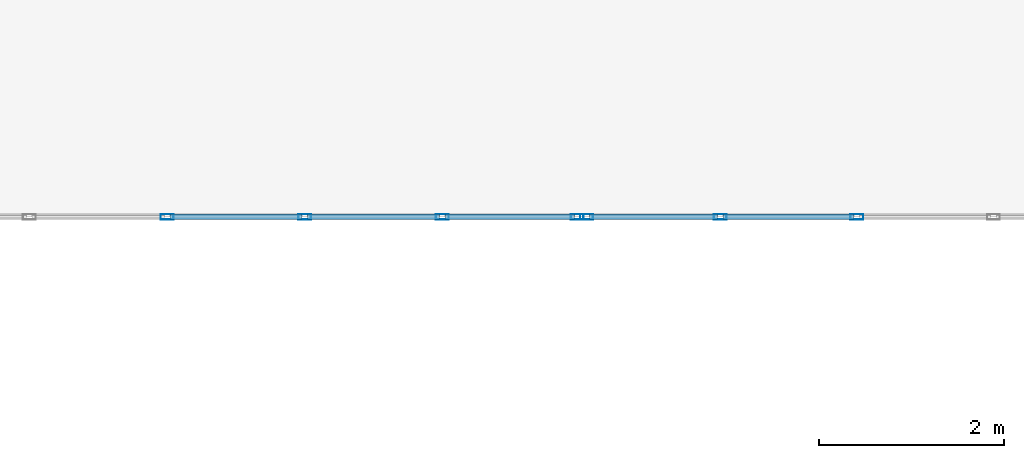
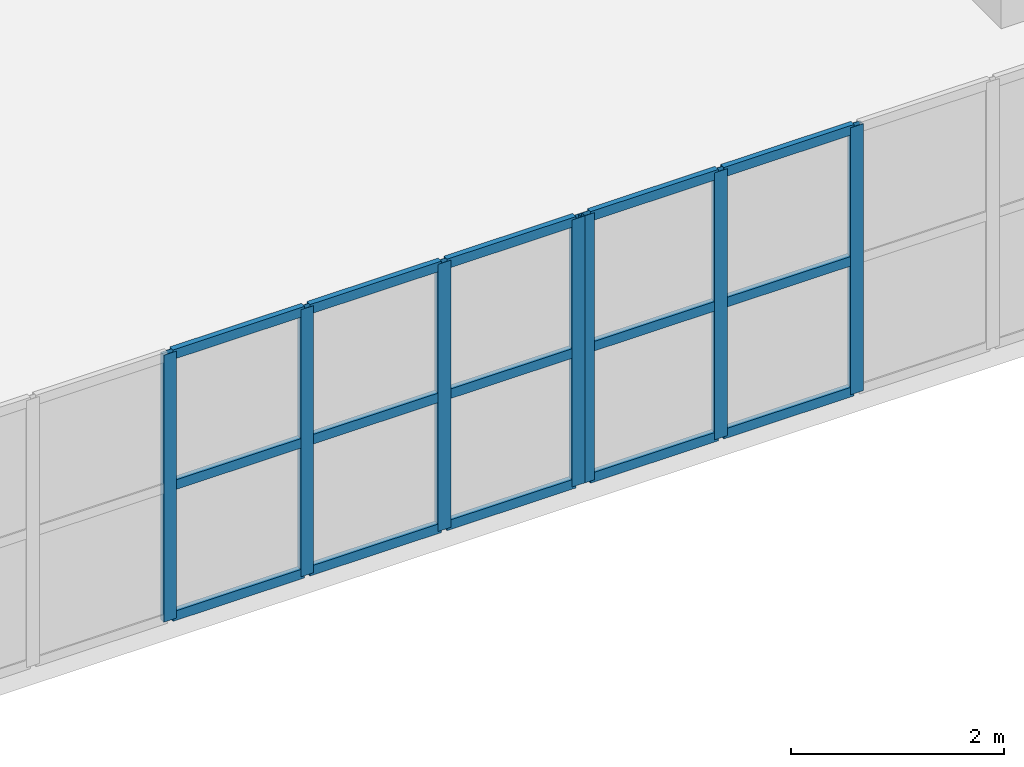
# One storey, part 32 of 148: 22 members, 2 elements without a shape of their own.
"""IFC4 building model written with IfcOpenShell, lengths in metres."""

from ifc_helpers import new_model, si_unit, direction, frame, origin, origin_2d, place, context, subcontext, project, spatial, hollow_rectangle, extrude, material, layer, layer_set, material_profile, profile_set, type_object, element, aggregate, save


model = new_model("IFC4")

# Units and contexts
model_context = context("Model", 3, precision=1e-05, world=origin(), true_north=direction((0.0, 1.0)))
body_context = subcontext(model_context, "Body", "Model", "MODEL_VIEW")
ifc_project = project(units=[si_unit("LENGTHUNIT", "METRE"), si_unit("AREAUNIT", "SQUARE_METRE"), si_unit("VOLUMEUNIT", "CUBIC_METRE"), si_unit("PLANEANGLEUNIT", "RADIAN"), si_unit("MASSUNIT", "GRAM", prefix="KILO")], contexts=[model_context])

# Site, building, storey
site_placement = place(None, origin())
site = spatial("IfcSite", under=ifc_project, at=site_placement, CompositionType="ELEMENT")
building_placement = place(site_placement, origin())
building = spatial("IfcBuilding", under=site, at=building_placement, Name="Trelvath General Hospital", CompositionType="ELEMENT")
storey_placement = place(building_placement, frame((0.0, 0.0, 12.89990234375)))
storey = spatial("IfcBuildingStorey", under=building, at=storey_placement, Name="L03", CompositionType="ELEMENT", Elevation=12.89990234375)

# Curtain wall, members
ifc_material_1 = material(Name="Anodised aluminium and low-E glass", Category="aluminium")
ifc_layer_1 = layer(ifc_material_1, 0.14990234375)
ifc_layer_set_1 = layer_set([ifc_layer_1], Name="Anodised aluminium and low-E glass")
curtain_wall_type_1 = type_object("IfcCurtainWallType", Name="CW CrystalCube 743 306 15", PredefinedType="USERDEFINED", material=ifc_layer_set_1)
curtain_wall_1_placement = place(storey_placement, origin())
curtain_wall_1 = element("IfcCurtainWall", 1, at=curtain_wall_1_placement, inside=storey, type_object=curtain_wall_type_1, Name="Crystal Cube Curtain Wall CUBE-W-T1 S2 L03", ObjectType="Unitised Glazed Curtain Wall", PredefinedType="USERDEFINED")
ifc_material_2 = material(Name="Anodised aluminium", Category="aluminium")
ifc_material_profile_1 = material_profile(ifc_material_2, hollow_rectangle(XDim=0.06005859375, YDim=0.139892578125, WallThickness=0.00390625, at=origin_2d()), Name="RHS60x140x4")
ifc_profile_set_1 = profile_set([ifc_material_profile_1], Name="Anodised aluminium")
member_type_1 = type_object("IfcMemberType", Name="CurtainMullion 60x140", PredefinedType="MULLION", material=ifc_profile_set_1)
member_1_placement = place(storey_placement, frame((68.083251953125, 37.199951171875, 0.0), z_axis=(0.0, 0.0, 1.0), x_axis=(0.0, -1.0, 0.0)))
member_1 = element("IfcMember", 2, at=member_1_placement, type_object=member_type_1, Name="CW-231 mullion 1", PredefinedType="MULLION", context=body_context, shape_type="SweptSolid", body=[
    extrude(hollow_rectangle(XDim=0.06005859375, YDim=0.139892578125, WallThickness=0.00390625, at=origin_2d()), origin(), (0.0, 0.0, 1.0), 3.06005859375),
])
member_2_placement = place(storey_placement, frame((66.6279296875, 37.199951171875, 0.0), z_axis=(0.0, 0.0, 1.0), x_axis=(0.0, -1.0, 0.0)))
member_2 = element("IfcMember", 3, at=member_2_placement, type_object=member_type_1, Name="CW-231 mullion 2", PredefinedType="MULLION", context=body_context, shape_type="SweptSolid", body=[
    extrude(hollow_rectangle(XDim=0.06005859375, YDim=0.139892578125, WallThickness=0.00390625, at=origin_2d()), origin(), (0.0, 0.0, 1.0), 3.06005859375),
])
member_3_placement = place(storey_placement, frame((65.142578125, 37.199951171875, 0.0), z_axis=(0.0, 0.0, 1.0), x_axis=(0.0, -1.0, 0.0)))
member_3 = element("IfcMember", 4, at=member_3_placement, type_object=member_type_1, Name="CW-231 mullion 3", PredefinedType="MULLION", context=body_context, shape_type="SweptSolid", body=[
    extrude(hollow_rectangle(XDim=0.06005859375, YDim=0.139892578125, WallThickness=0.00390625, at=origin_2d()), origin(), (0.0, 0.0, 1.0), 3.06005859375),
])
member_4_placement = place(storey_placement, frame((63.6572265625, 37.199951171875, 0.0), z_axis=(0.0, 0.0, 1.0), x_axis=(0.0, -1.0, 0.0)))
member_4 = element("IfcMember", 5, at=member_4_placement, type_object=member_type_1, Name="CW-231 mullion 4", PredefinedType="MULLION", context=body_context, shape_type="SweptSolid", body=[
    extrude(hollow_rectangle(XDim=0.06005859375, YDim=0.139892578125, WallThickness=0.00390625, at=origin_2d()), origin(), (0.0, 0.0, 1.0), 3.06005859375),
])

ifc_material_3 = material(Name="Anodised aluminium and low-E glass", Category="aluminium")
ifc_layer_2 = layer(ifc_material_3, 0.14990234375)
ifc_layer_set_2 = layer_set([ifc_layer_2], Name="Anodised aluminium and low-E glass")
curtain_wall_type_2 = type_object("IfcCurtainWallType", Name="CW CrystalCube 737 306 15", PredefinedType="USERDEFINED", material=ifc_layer_set_2)
curtain_wall_2_placement = place(storey_placement, origin())
curtain_wall_2 = element("IfcCurtainWall", 6, at=curtain_wall_2_placement, inside=storey, type_object=curtain_wall_type_2, Name="Crystal Cube Curtain Wall CUBE-W-T1 S3 L03", ObjectType="Unitised Glazed Curtain Wall", PredefinedType="USERDEFINED")
member_5_placement = place(storey_placement, frame((71.10009765625, 37.199951171875, 0.0), z_axis=(0.0, 0.0, 1.0), x_axis=(0.0, -1.0, 0.0)))
member_5 = element("IfcMember", 7, at=member_5_placement, type_object=member_type_1, Name="CW-232 mullion 4", PredefinedType="MULLION", context=body_context, shape_type="SweptSolid", body=[
    extrude(hollow_rectangle(XDim=0.06005859375, YDim=0.139892578125, WallThickness=0.00390625, at=origin_2d()), origin(), (0.0, 0.0, 1.0), 3.06005859375),
])
member_6_placement = place(storey_placement, frame((69.626708984375, 37.199951171875, 0.0), z_axis=(0.0, 0.0, 1.0), x_axis=(0.0, -1.0, 0.0)))
member_6 = element("IfcMember", 8, at=member_6_placement, type_object=member_type_1, Name="CW-232 mullion 5", PredefinedType="MULLION", context=body_context, shape_type="SweptSolid", body=[
    extrude(hollow_rectangle(XDim=0.06005859375, YDim=0.139892578125, WallThickness=0.00390625, at=origin_2d()), origin(), (0.0, 0.0, 1.0), 3.06005859375),
])
member_7_placement = place(storey_placement, frame((68.183349609375, 37.199951171875, 0.0), z_axis=(0.0, 0.0, 1.0), x_axis=(0.0, -1.0, 0.0)))
member_7 = element("IfcMember", 9, at=member_7_placement, type_object=member_type_1, Name="CW-232 mullion 6", PredefinedType="MULLION", context=body_context, shape_type="SweptSolid", body=[
    extrude(hollow_rectangle(XDim=0.06005859375, YDim=0.139892578125, WallThickness=0.00390625, at=origin_2d()), origin(), (0.0, 0.0, 1.0), 3.06005859375),
])

# Member
ifc_material_4 = material(Name="Anodised aluminium", Category="aluminium")
ifc_material_profile_2 = material_profile(ifc_material_4, hollow_rectangle(XDim=0.06005859375, YDim=0.110107421875, WallThickness=0.00390625, at=origin_2d()), Name="RHS60x110x4")
ifc_profile_set_2 = profile_set([ifc_material_profile_2], Name="Anodised aluminium")
member_type_2 = type_object("IfcMemberType", Name="CurtainTransom 60x110", PredefinedType="USERDEFINED", material=ifc_profile_set_2)
member_8_placement = place(storey_placement, frame((68.05322265625, 37.199951171875, 0.030029296875), z_axis=(-1.0, 0.0, 0.0), x_axis=(0.0, -1.0, 0.0)))
member_8 = element("IfcMember", 10, at=member_8_placement, type_object=member_type_2, Name="CW-231 transom 1.1", ObjectType="TRANSOM", PredefinedType="USERDEFINED", context=body_context, shape_type="SweptSolid", body=[
    extrude(hollow_rectangle(XDim=0.06005859375, YDim=0.110107421875, WallThickness=0.00390625, at=origin_2d()), origin(), (0.0, 0.0, 1.0), 1.395263671875),
])

member_9_placement = place(storey_placement, frame((68.05322265625, 37.199951171875, 1.530029296875), z_axis=(-1.0, 0.0, 0.0), x_axis=(0.0, -1.0, 0.0)))
member_9 = element("IfcMember", 11, at=member_9_placement, type_object=member_type_2, Name="CW-231 transom 1.2", ObjectType="TRANSOM", PredefinedType="USERDEFINED", context=body_context, shape_type="SweptSolid", body=[
    extrude(hollow_rectangle(XDim=0.06005859375, YDim=0.110107421875, WallThickness=0.00390625, at=origin_2d()), origin(), (0.0, 0.0, 1.0), 1.395263671875),
])

member_10_placement = place(storey_placement, frame((68.05322265625, 37.199951171875, 3.030029296875), z_axis=(-1.0, 0.0, 0.0), x_axis=(0.0, -1.0, 0.0)))
member_10 = element("IfcMember", 12, at=member_10_placement, type_object=member_type_2, Name="CW-231 transom 1.3", ObjectType="TRANSOM", PredefinedType="USERDEFINED", context=body_context, shape_type="SweptSolid", body=[
    extrude(hollow_rectangle(XDim=0.06005859375, YDim=0.110107421875, WallThickness=0.00390625, at=origin_2d()), origin(), (0.0, 0.0, 1.0), 1.395263671875),
])

member_11_placement = place(storey_placement, frame((66.597900390625, 37.199951171875, 0.030029296875), z_axis=(-1.0, 0.0, 0.0), x_axis=(0.0, -1.0, 0.0)))
member_11 = element("IfcMember", 13, at=member_11_placement, type_object=member_type_2, Name="CW-231 transom 2.1", ObjectType="TRANSOM", PredefinedType="USERDEFINED", context=body_context, shape_type="SweptSolid", body=[
    extrude(hollow_rectangle(XDim=0.06005859375, YDim=0.110107421875, WallThickness=0.00390625, at=origin_2d()), origin(), (0.0, 0.0, 1.0), 1.42529296875),
])

member_12_placement = place(storey_placement, frame((66.597900390625, 37.199951171875, 1.530029296875), z_axis=(-1.0, 0.0, 0.0), x_axis=(0.0, -1.0, 0.0)))
member_12 = element("IfcMember", 14, at=member_12_placement, type_object=member_type_2, Name="CW-231 transom 2.2", ObjectType="TRANSOM", PredefinedType="USERDEFINED", context=body_context, shape_type="SweptSolid", body=[
    extrude(hollow_rectangle(XDim=0.06005859375, YDim=0.110107421875, WallThickness=0.00390625, at=origin_2d()), origin(), (0.0, 0.0, 1.0), 1.42529296875),
])

member_13_placement = place(storey_placement, frame((66.597900390625, 37.199951171875, 3.030029296875), z_axis=(-1.0, 0.0, 0.0), x_axis=(0.0, -1.0, 0.0)))
member_13 = element("IfcMember", 15, at=member_13_placement, type_object=member_type_2, Name="CW-231 transom 2.3", ObjectType="TRANSOM", PredefinedType="USERDEFINED", context=body_context, shape_type="SweptSolid", body=[
    extrude(hollow_rectangle(XDim=0.06005859375, YDim=0.110107421875, WallThickness=0.00390625, at=origin_2d()), origin(), (0.0, 0.0, 1.0), 1.42529296875),
])

member_14_placement = place(storey_placement, frame((65.112548828125, 37.199951171875, 0.030029296875), z_axis=(-1.0, 0.0, 0.0), x_axis=(0.0, -1.0, 0.0)))
member_14 = element("IfcMember", 16, at=member_14_placement, type_object=member_type_2, Name="CW-231 transom 3.1", ObjectType="TRANSOM", PredefinedType="USERDEFINED", context=body_context, shape_type="SweptSolid", body=[
    extrude(hollow_rectangle(XDim=0.06005859375, YDim=0.110107421875, WallThickness=0.00390625, at=origin_2d()), origin(), (0.0, 0.0, 1.0), 1.42529296875),
])

member_15_placement = place(storey_placement, frame((65.112548828125, 37.199951171875, 1.530029296875), z_axis=(-1.0, 0.0, 0.0), x_axis=(0.0, -1.0, 0.0)))
member_15 = element("IfcMember", 17, at=member_15_placement, type_object=member_type_2, Name="CW-231 transom 3.2", ObjectType="TRANSOM", PredefinedType="USERDEFINED", context=body_context, shape_type="SweptSolid", body=[
    extrude(hollow_rectangle(XDim=0.06005859375, YDim=0.110107421875, WallThickness=0.00390625, at=origin_2d()), origin(), (0.0, 0.0, 1.0), 1.42529296875),
])

member_16_placement = place(storey_placement, frame((65.112548828125, 37.199951171875, 3.030029296875), z_axis=(-1.0, 0.0, 0.0), x_axis=(0.0, -1.0, 0.0)))
member_16 = element("IfcMember", 18, at=member_16_placement, type_object=member_type_2, Name="CW-231 transom 3.3", ObjectType="TRANSOM", PredefinedType="USERDEFINED", context=body_context, shape_type="SweptSolid", body=[
    extrude(hollow_rectangle(XDim=0.06005859375, YDim=0.110107421875, WallThickness=0.00390625, at=origin_2d()), origin(), (0.0, 0.0, 1.0), 1.42529296875),
])

aggregate(curtain_wall_1, [member_1, member_2, member_3, member_4, member_8, member_9, member_10, member_11, member_12, member_13, member_14, member_15, member_16])

member_17_placement = place(storey_placement, frame((71.070068359375, 37.199951171875, 0.030029296875), z_axis=(-1.0, 0.0, 0.0), x_axis=(0.0, -1.0, 0.0)))
member_17 = element("IfcMember", 19, at=member_17_placement, type_object=member_type_2, Name="CW-232 transom 4.1", ObjectType="TRANSOM", PredefinedType="USERDEFINED", context=body_context, shape_type="SweptSolid", body=[
    extrude(hollow_rectangle(XDim=0.06005859375, YDim=0.110107421875, WallThickness=0.00390625, at=origin_2d()), origin(), (0.0, 0.0, 1.0), 1.413330078125),
])

member_18_placement = place(storey_placement, frame((71.070068359375, 37.199951171875, 1.530029296875), z_axis=(-1.0, 0.0, 0.0), x_axis=(0.0, -1.0, 0.0)))
member_18 = element("IfcMember", 20, at=member_18_placement, type_object=member_type_2, Name="CW-232 transom 4.2", ObjectType="TRANSOM", PredefinedType="USERDEFINED", context=body_context, shape_type="SweptSolid", body=[
    extrude(hollow_rectangle(XDim=0.06005859375, YDim=0.110107421875, WallThickness=0.00390625, at=origin_2d()), origin(), (0.0, 0.0, 1.0), 1.413330078125),
])

member_19_placement = place(storey_placement, frame((71.070068359375, 37.199951171875, 3.030029296875), z_axis=(-1.0, 0.0, 0.0), x_axis=(0.0, -1.0, 0.0)))
member_19 = element("IfcMember", 21, at=member_19_placement, type_object=member_type_2, Name="CW-232 transom 4.3", ObjectType="TRANSOM", PredefinedType="USERDEFINED", context=body_context, shape_type="SweptSolid", body=[
    extrude(hollow_rectangle(XDim=0.06005859375, YDim=0.110107421875, WallThickness=0.00390625, at=origin_2d()), origin(), (0.0, 0.0, 1.0), 1.413330078125),
])

member_20_placement = place(storey_placement, frame((69.5966796875, 37.199951171875, 0.030029296875), z_axis=(-1.0, 0.0, 0.0), x_axis=(0.0, -1.0, 0.0)))
member_20 = element("IfcMember", 22, at=member_20_placement, type_object=member_type_2, Name="CW-232 transom 5.1", ObjectType="TRANSOM", PredefinedType="USERDEFINED", context=body_context, shape_type="SweptSolid", body=[
    extrude(hollow_rectangle(XDim=0.06005859375, YDim=0.110107421875, WallThickness=0.00390625, at=origin_2d()), origin(), (0.0, 0.0, 1.0), 1.38330078125),
])

member_21_placement = place(storey_placement, frame((69.5966796875, 37.199951171875, 1.530029296875), z_axis=(-1.0, 0.0, 0.0), x_axis=(0.0, -1.0, 0.0)))
member_21 = element("IfcMember", 23, at=member_21_placement, type_object=member_type_2, Name="CW-232 transom 5.2", ObjectType="TRANSOM", PredefinedType="USERDEFINED", context=body_context, shape_type="SweptSolid", body=[
    extrude(hollow_rectangle(XDim=0.06005859375, YDim=0.110107421875, WallThickness=0.00390625, at=origin_2d()), origin(), (0.0, 0.0, 1.0), 1.38330078125),
])

member_22_placement = place(storey_placement, frame((69.5966796875, 37.199951171875, 3.030029296875), z_axis=(-1.0, 0.0, 0.0), x_axis=(0.0, -1.0, 0.0)))
member_22 = element("IfcMember", 24, at=member_22_placement, type_object=member_type_2, Name="CW-232 transom 5.3", ObjectType="TRANSOM", PredefinedType="USERDEFINED", context=body_context, shape_type="SweptSolid", body=[
    extrude(hollow_rectangle(XDim=0.06005859375, YDim=0.110107421875, WallThickness=0.00390625, at=origin_2d()), origin(), (0.0, 0.0, 1.0), 1.38330078125),
])

aggregate(curtain_wall_2, [member_5, member_6, member_7, member_17, member_18, member_19, member_20, member_21, member_22])

save(model, "model.ifc")
